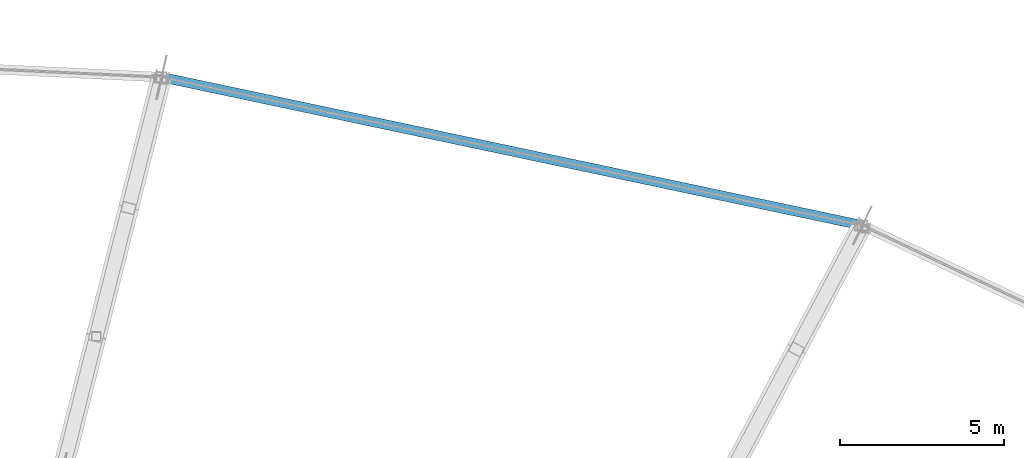
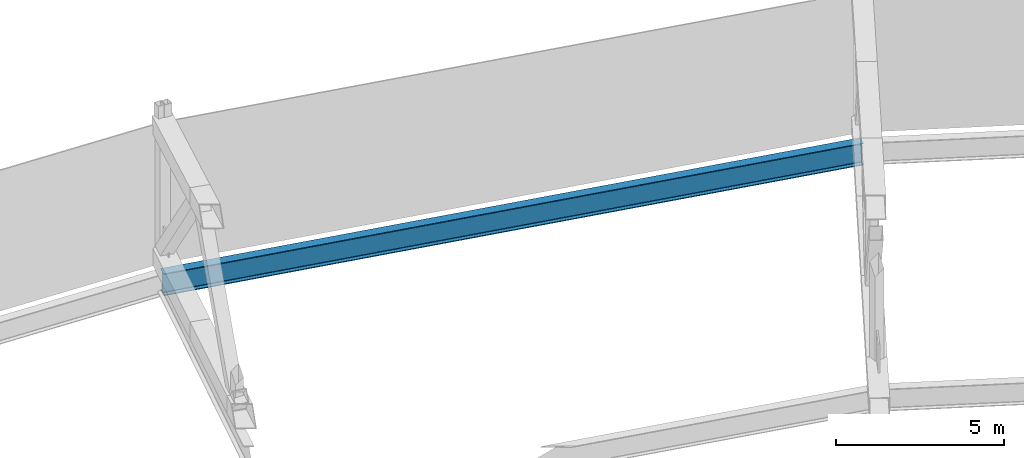
# One storey, part 84 of 162: 1 beam.
"""IFC4 building model written with IfcOpenShell, lengths in metres."""

from ifc_helpers import new_model, si_unit, direction, frame, origin, origin_2d, place, context, subcontext, project, spatial, i_section, extrude, material, material_profile, profile_set, type_object, element, save


model = new_model("IFC4")

# Units and contexts
model_context = context("Model", 3, precision=1e-05, world=origin(), true_north=direction((0.0, 1.0)))
body_context = subcontext(model_context, "Body", "Model", "MODEL_VIEW")
ifc_project = project(units=[si_unit("LENGTHUNIT", "METRE"), si_unit("AREAUNIT", "SQUARE_METRE"), si_unit("VOLUMEUNIT", "CUBIC_METRE"), si_unit("PLANEANGLEUNIT", "RADIAN"), si_unit("MASSUNIT", "GRAM", prefix="KILO")], contexts=[model_context])

# Site, building, storey
site_placement = place(None, origin())
site = spatial("IfcSite", under=ifc_project, at=site_placement, CompositionType="ELEMENT")
building_placement = place(site_placement, origin())
building = spatial("IfcBuilding", under=site, at=building_placement, Name="Kazemori Nagisa Stadium", CompositionType="ELEMENT")
storey_placement = place(building_placement, frame((0.0, 0.0, 36.719970703125)))
storey = spatial("IfcBuildingStorey", under=building, at=storey_placement, Name="RF", CompositionType="ELEMENT", Elevation=36.719970703125)

# Beam
ifc_material = material(Name="Steel SN490B", Category="steel")
ifc_material_profile = material_profile(ifc_material, i_section(OverallWidth=0.300048828125, OverallDepth=0.800048828125, WebThickness=0.013916015625, FlangeThickness=0.02587890625, FilletRadius=0.01806640625, at=origin_2d()), Name="H-800x300x14x26")
ifc_profile_set = profile_set([ifc_material_profile], Name="Steel SN490B")
beam_type = type_object("IfcBeamType", Name="Beam_BG-H800", PredefinedType="BEAM", material=ifc_profile_set)
beam_placement = place(storey_placement, frame((165.8046875, 182.46435546875, -0.679931640625), z_axis=(-0.97834587432, 0.206976689994, 0.0), x_axis=(-0.206976689994, -0.97834587432, 0.0)))
element("IfcBeam", 1, at=beam_placement, inside=storey, type_object=beam_type, Name="Roof compression ring beam BG-H800 R3-06", PredefinedType="BEAM", context=body_context, shape_type="SweptSolid", body=[
    extrude(i_section(OverallWidth=0.300048828125, OverallDepth=0.800048828125, WebThickness=0.013916015625, FlangeThickness=0.02587890625, FilletRadius=0.01806640625, at=origin_2d()), origin(), (0.0, 0.0, 1.0), 21.85009765625),
])

save(model, "model.ifc")
